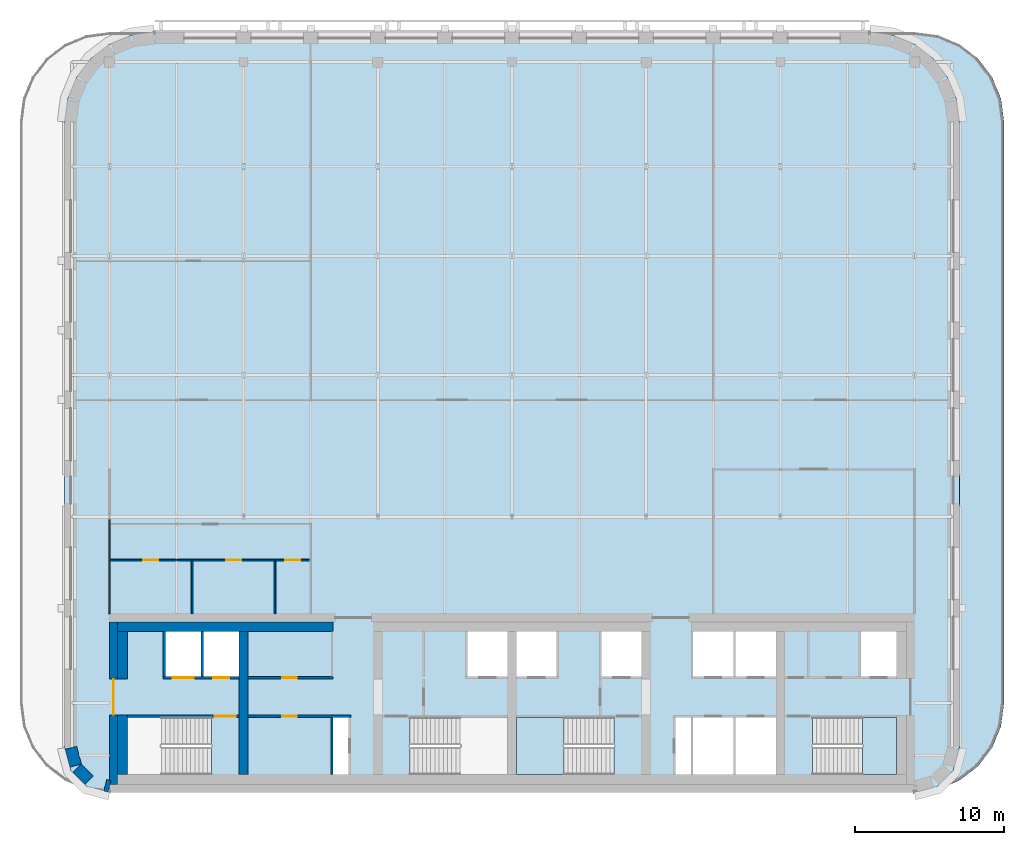
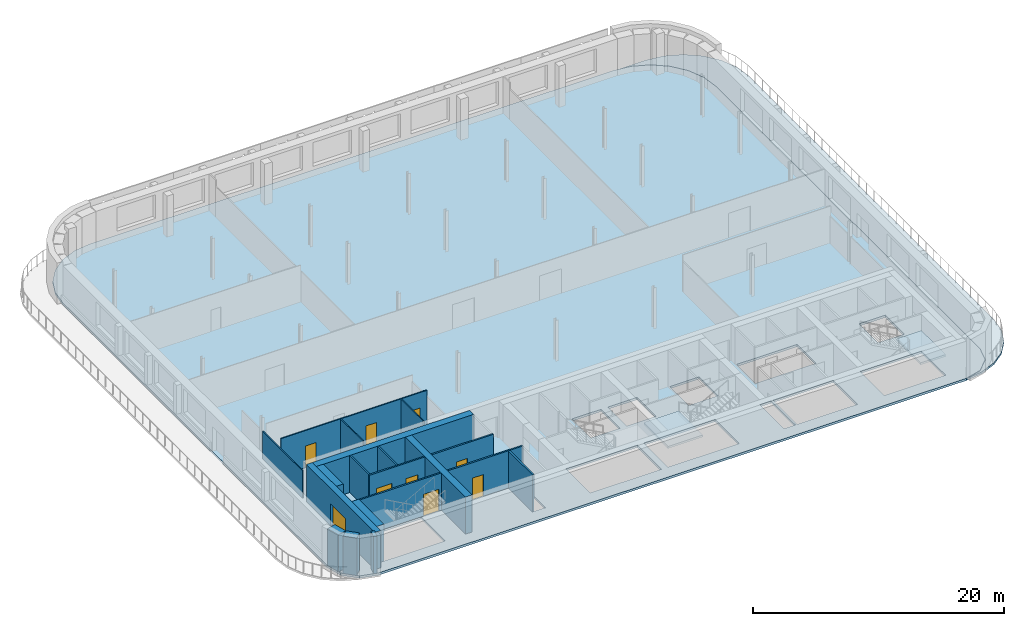
# One storey, part 6 of 13: 19 walls, 9 doors, 4 slabs, 9 openings, 2 elements without a shape of their own.
"""IFC4 building model written with IfcOpenShell, lengths in metres."""

from ifc_helpers import new_model, si_unit, direction, frame, frame_2d, origin, place, context, subcontext, project, spatial, polyline, rectangle, outline, extrude, material, layer, layer_set, type_object, element, fill, aggregate, save


model = new_model("IFC4")

# Units and contexts
model_context = context("Model", 3, precision=1e-05, world=origin(), true_north=direction((0.0, 1.0)))
body_context = subcontext(model_context, "Body", "Model", "MODEL_VIEW")
ifc_project = project(units=[si_unit("LENGTHUNIT", "METRE"), si_unit("AREAUNIT", "SQUARE_METRE"), si_unit("VOLUMEUNIT", "CUBIC_METRE"), si_unit("PLANEANGLEUNIT", "RADIAN"), si_unit("MASSUNIT", "GRAM", prefix="KILO")], contexts=[model_context])

# Site, building, storey
site_placement = place(None, origin())
site = spatial("IfcSite", under=ifc_project, at=site_placement, CompositionType="ELEMENT")
building_placement = place(site_placement, origin())
building = spatial("IfcBuilding", under=site, at=building_placement, Name="Zellij Exchange Tower", CompositionType="ELEMENT")
storey_placement = place(building_placement, frame((0.0, 0.0, 292.5)))
storey = spatial("IfcBuildingStorey", under=building, at=storey_placement, Name="L69", CompositionType="ELEMENT", Elevation=292.5)

# Stair, slab
ifc_material_1 = material(Name="Concrete C40/50", Category="concrete")
stair_type = type_object("IfcStairType", Name="CORE-ST exit stair 1850 wide", PredefinedType="HALF_TURN_STAIR", material=ifc_material_1)
stair_1_placement = place(storey_placement, origin())
stair_1 = element("IfcStair", 1, at=stair_1_placement, inside=storey, type_object=stair_type, Name="L69 exit stair ST3", PredefinedType="HALF_TURN_STAIR")
ifc_layer_1 = layer(ifc_material_1, 0.199951171875)
ifc_layer_set_1 = layer_set([ifc_layer_1], Name="Concrete C40/50")
slab_type_1 = type_object("IfcSlabType", Name="CORE-SL stair landing 200", PredefinedType="LANDING", material=ifc_layer_set_1)
slab_1_placement = place(storey_placement, frame((0.0, 0.0, 1.800048828125)))
slab_1 = element("IfcSlab", 2, at=slab_1_placement, type_object=slab_type_1, Name="ST3 landing 1", PredefinedType="LANDING", context=body_context, shape_type="SweptSolid", body=[
    extrude(outline(polyline([(3.489990234375, -8.949951171875), (0.300048828125, -8.949951171875), (0.300048828125, -12.800048828125), (3.489990234375, -12.800048828125), (3.489990234375, -8.949951171875)])), origin(), (0.0, 0.0, 1.0), 0.199951171875),
])
aggregate(stair_1, [slab_1])

stair_2_placement = place(storey_placement, origin())
stair_2 = element("IfcStair", 3, at=stair_2_placement, inside=storey, type_object=stair_type, Name="L69 exit stair ST4", PredefinedType="HALF_TURN_STAIR")
slab_2_placement = place(storey_placement, frame((0.0, 0.0, 1.800048828125)))
slab_2 = element("IfcSlab", 4, at=slab_2_placement, type_object=slab_type_1, Name="ST4 landing 1", PredefinedType="LANDING", context=body_context, shape_type="SweptSolid", body=[
    extrude(outline(polyline([(23.510009765625, -12.800048828125), (25.800048828125, -12.800048828125), (25.800048828125, -8.949951171875), (23.510009765625, -8.949951171875), (23.510009765625, -12.800048828125)])), origin(), (0.0, 0.0, 1.0), 0.199951171875),
])
aggregate(stair_2, [slab_2])

# Slabs
ifc_layer_2 = layer(ifc_material_1, 0.219970703125)
ifc_layer_set_2 = layer_set([ifc_layer_2], Name="Concrete C40/50")
slab_type_2 = type_object("IfcSlabType", Name="ENV-TERRACE SLAB 220 C40/50", PredefinedType="FLOOR", material=ifc_layer_set_2)
slab_3_placement = place(storey_placement, frame((0.0, 0.0, -0.219970703125)))
element("IfcSlab", 5, at=slab_3_placement, inside=storey, type_object=slab_type_2, Name="Terrace slab L69", PredefinedType="FLOOR", context=body_context, shape_type="SweptSolid", body=[
    extrude(outline(polyline([(28.5, -13.59814453125), (27.0, -14.0), (28.552978515625, -13.795654296875), (30.0, -13.1962890625), (31.24267578125, -12.24267578125), (32.1962890625, -11.0), (32.795654296875, -9.552978515625), (33.0, -8.0), (33.0, 31.0), (32.795654296875, 32.552978515625), (32.1962890625, 34.0), (31.24267578125, 35.24267578125), (30.0, 36.1962890625), (28.552978515625, 36.795654296875), (27.0, 37.0), (24.0, 37.0), (25.552978515625, 36.795654296875), (27.0, 36.1962890625), (28.24267578125, 35.24267578125), (29.1962890625, 34.0), (29.795654296875, 32.552978515625), (30.0, 31.0), (30.0, -11.0), (29.59814453125, -12.5), (28.5, -13.59814453125)])), origin(), (0.0, 0.0, 1.0), 0.179931640625),
])
ifc_layer_3 = layer(ifc_material_1, 0.219970703125)
ifc_layer_set_3 = layer_set([ifc_layer_3], Name="Concrete C40/50")
slab_type_3 = type_object("IfcSlabType", Name="STR-FLOOR SLAB 220 C40/50", PredefinedType="FLOOR", material=ifc_layer_set_3)
slab_4_placement = place(storey_placement, frame((0.0, 0.0, -0.22021484375)))
element("IfcSlab", 6, at=slab_4_placement, inside=storey, type_object=slab_type_3, Name="Floor L69", PredefinedType="FLOOR", context=body_context, shape_type="SweptSolid", body=[
    extrude(outline(polyline([(-27.0, -14.0), (-28.5, -13.59814453125), (-29.59814453125, -12.5), (-30.0, -11.0), (-30.0, 31.0), (-29.795654296875, 32.552978515625), (-29.1962890625, 34.0), (-28.24267578125, 35.24267578125), (-27.0, 36.1962890625), (-25.552978515625, 36.795654296875), (-24.0, 37.0), (24.0, 37.0), (25.552978515625, 36.795654296875), (27.0, 36.1962890625), (28.24267578125, 35.24267578125), (29.1962890625, 34.0), (29.795654296875, 32.552978515625), (30.0, 31.0), (30.0, -11.0), (29.59814453125, -12.5), (28.5, -13.59814453125), (27.0, -14.0), (-27.0, -14.0)]), holes=[polyline([(-25.800048828125, -8.949951171875), (-25.800048828125, -12.800048828125), (-20.153076171875, -12.800048828125), (-20.153076171875, -8.949951171875), (-25.800048828125, -8.949951171875)]), polyline([(-10.949951171875, -8.949951171875), (-12.0, -8.949951171875), (-12.0, -12.800048828125), (-10.949951171875, -12.800048828125), (-10.949951171875, -8.949951171875)]), polyline([(-0.300048828125, -8.949951171875), (-6.846923828125, -8.949951171875), (-6.846923828125, -12.800048828125), (-0.300048828125, -12.800048828125), (-0.300048828125, -8.949951171875)]), polyline([(0.300048828125, -8.949951171875), (0.300048828125, -12.800048828125), (6.846923828125, -12.800048828125), (6.846923828125, -8.949951171875), (0.300048828125, -8.949951171875)]), polyline([(-18.300048828125, -3.199951171875), (-23.25, -3.199951171875), (-23.25, -6.22509765625), (-18.300048828125, -6.22509765625), (-18.300048828125, -3.199951171875)]), polyline([(-0.300048828125, -3.199951171875), (-3.0, -3.199951171875), (-3.0, -6.22509765625), (-0.300048828125, -6.22509765625), (-0.300048828125, -3.199951171875)]), polyline([(0.300048828125, -3.199951171875), (0.300048828125, -6.22509765625), (3.0, -6.22509765625), (3.0, -3.199951171875), (0.300048828125, -3.199951171875)]), polyline([(12.0, -8.949951171875), (10.949951171875, -8.949951171875), (10.949951171875, -12.800048828125), (12.0, -12.800048828125), (12.0, -8.949951171875)]), polyline([(17.699951171875, -8.949951171875), (12.14990234375, -8.949951171875), (12.14990234375, -12.800048828125), (17.699951171875, -12.800048828125), (17.699951171875, -8.949951171875)]), polyline([(25.800048828125, -8.949951171875), (20.153076171875, -8.949951171875), (20.153076171875, -12.800048828125), (25.800048828125, -12.800048828125), (25.800048828125, -8.949951171875)]), polyline([(8.699951171875, -3.199951171875), (6.0, -3.199951171875), (6.0, -6.22509765625), (8.699951171875, -6.22509765625), (8.699951171875, -3.199951171875)]), polyline([(17.699951171875, -3.199951171875), (12.14990234375, -3.199951171875), (12.14990234375, -6.22509765625), (17.699951171875, -6.22509765625), (17.699951171875, -3.199951171875)]), polyline([(25.800048828125, -3.199951171875), (23.39990234375, -3.199951171875), (23.39990234375, -6.22509765625), (25.800048828125, -6.22509765625), (25.800048828125, -3.199951171875)])]), origin(), (0.0, 0.0, 1.0), 0.22021484375),
])

# Walls
ifc_material_2 = material(Name="Concrete C50/60", Category="concrete")
ifc_layer_4 = layer(ifc_material_2, 0.60009765625)
ifc_layer_set_4 = layer_set([ifc_layer_4], Name="Concrete C50/60")
wall_type_1 = type_object("IfcWallType", Name="CORE-CW 600 C50/60", PredefinedType="SHEAR", material=ifc_layer_set_4)
wall_1_placement = place(storey_placement, frame((-18.0, -12.800048828125, 0.0), z_axis=(0.0, 0.0, 1.0), x_axis=(0.0, 1.0, 0.0)))
element("IfcWall", 7, at=wall_1_placement, inside=storey, type_object=wall_type_1, Name="Core cross wall x -18 L69", PredefinedType="SHEAR", context=body_context, shape_type="SweptSolid", body=[
    extrude(rectangle(XDim=9.60009765625, YDim=0.60009765625, at=frame_2d((4.800048828125, 0.0))), origin(), (0.0, 0.0, 1.0), 3.60009765625),
])
ifc_material_3 = material(Name="Concrete C30/37", Category="concrete")
ifc_layer_5 = layer(ifc_material_3, 0.64990234375)
ifc_layer_set_5 = layer_set([ifc_layer_5], Name="Concrete C30/37")
wall_type_2 = type_object("IfcWallType", Name="CORE-LW 650 C30/37", PredefinedType="SHEAR", material=ifc_layer_set_5)
wall_2_placement = place(storey_placement, frame((-26.449951171875, -2.875, 0.0), z_axis=(0.0, 0.0, 1.0), x_axis=(1.0, 0.0, 0.0)))
element("IfcWall", 8, at=wall_2_placement, inside=storey, type_object=wall_type_2, Name="Core wall lining front.0 L69", PredefinedType="SHEAR", context=body_context, shape_type="SweptSolid", body=[
    extrude(rectangle(XDim=14.449951171875, YDim=0.64990234375, at=frame_2d((7.22509765625, 0.0))), origin(), (0.0, 0.0, 1.0), 3.60009765625),
])
wall_3_placement = place(storey_placement, frame((-26.125, -12.800048828125, 0.0), z_axis=(0.0, 0.0, 1.0), x_axis=(0.0, 1.0, 0.0)))
element("IfcWall", 9, at=wall_3_placement, inside=storey, type_object=wall_type_2, Name="Core wall lining end w.0 L69", PredefinedType="SHEAR", context=body_context, shape_type="SweptSolid", body=[
    extrude(rectangle(XDim=4.0, YDim=0.64990234375, at=frame_2d((2.0, 0.0))), origin(), (0.0, 0.0, 1.0), 3.60009765625),
])
wall_4_placement = place(storey_placement, frame((-26.125, -6.375, 0.0), z_axis=(0.0, 0.0, 1.0), x_axis=(0.0, 1.0, 0.0)))
element("IfcWall", 10, at=wall_4_placement, inside=storey, type_object=wall_type_2, Name="Core wall lining end w.1 L69", PredefinedType="SHEAR", context=body_context, shape_type="SweptSolid", body=[
    extrude(rectangle(XDim=3.175048828125, YDim=0.64990234375, at=frame_2d((1.58740234375, 0.0))), origin(), (0.0, 0.0, 1.0), 3.60009765625),
])
ifc_material_4 = material(Name="Gypsum board partition")
ifc_layer_6 = layer(ifc_material_4, 0.14990234375)
ifc_layer_set_6 = layer_set([ifc_layer_6], Name="Gypsum board partition")
wall_type_3 = type_object("IfcWallType", Name="CORE-PW 150 Lift lobby wall", PredefinedType="PARTITIONING", material=ifc_layer_set_6)
wall_5_placement = place(storey_placement, frame((-12.074951171875, -12.800048828125, 0.0), z_axis=(0.0, 0.0, 1.0), x_axis=(0.0, 1.0, 0.0)))
element("IfcWall", 11, at=wall_5_placement, inside=storey, type_object=wall_type_3, Name="Lift lobby wall L69", PredefinedType="PARTITIONING", context=body_context, shape_type="SweptSolid", body=[
    extrude(rectangle(XDim=3.85009765625, YDim=0.14990234375, at=frame_2d((1.925048828125, 0.0))), origin(), (0.0, 0.0, 1.0), 3.60009765625),
])

# Wall, opening, door
wall_6_placement = place(storey_placement, frame((-17.699951171875, -6.300048828125, 0.0), z_axis=(0.0, 0.0, 1.0), x_axis=(1.0, 0.0, 0.0)))
wall_6 = element("IfcWall", 12, at=wall_6_placement, inside=storey, type_object=wall_type_3, Name="Lift lobby wall L69", PredefinedType="PARTITIONING", context=body_context, shape_type="SweptSolid", body=[
    extrude(rectangle(XDim=5.699951171875, YDim=0.14990234375, at=frame_2d((2.85009765625, 0.0))), origin(), (0.0, 0.0, 1.0), 3.60009765625),
])
opening_1_placement = place(wall_6_placement, frame((2.27490234375, 0.0, 0.0)))
opening_1 = element("IfcOpeningElement", 13, at=opening_1_placement, cuts=wall_6, Name="Opening CA-36.06", PredefinedType="OPENING", context=body_context, shape_type="SweptSolid", body=[
    extrude(rectangle(XDim=1.0, YDim=2.10009765625, at=frame_2d((0.5, 1.050048828125))), frame((0.0, 0.0869140625, 0.0), z_axis=(0.0, -1.0, 0.0), x_axis=(1.0, 0.0, 0.0)), (0.0, 0.0, 1.0), 0.173828125),
])
ifc_material_5 = material(Name="Hollow metal fire door")
door_type_1 = type_object("IfcDoorType", Name="CORE-D CD Core room door 1000x2100 1 HR", OperationType="NOTDEFINED", PredefinedType="DOOR", material=ifc_material_5)
door_1_placement = place(opening_1_placement, origin())
door_1 = element("IfcDoor", 14, at=door_1_placement, inside=storey, type_object=door_type_1, Name="Core room door CA-36.06", OperationType="SINGLE_SWING_LEFT", OverallHeight=2.10009765625, OverallWidth=1.0, PredefinedType="DOOR", context=body_context, shape_type="SweptSolid", body=[
    extrude(rectangle(XDim=1.0, YDim=2.10009765625, at=frame_2d((0.5, 1.050048828125))), frame((0.0, 0.02490234375, 0.0), z_axis=(0.0, -1.0, 0.0), x_axis=(1.0, 0.0, 0.0)), (0.0, 0.0, 1.0), 0.050048828125),
])
fill(opening_1, door_1)

wall_7_placement = place(storey_placement, frame((-17.699951171875, -8.875, 0.0), z_axis=(0.0, 0.0, 1.0), x_axis=(1.0, 0.0, 0.0)))
wall_7 = element("IfcWall", 15, at=wall_7_placement, inside=storey, type_object=wall_type_3, Name="Lift lobby wall L69", PredefinedType="PARTITIONING", context=body_context, shape_type="SweptSolid", body=[
    extrude(rectangle(XDim=6.89990234375, YDim=0.14990234375, at=frame_2d((3.449951171875, 0.0))), origin(), (0.0, 0.0, 1.0), 3.60009765625),
])
opening_2_placement = place(wall_7_placement, frame((2.27490234375, 0.0, 0.0)))
opening_2 = element("IfcOpeningElement", 16, at=opening_2_placement, cuts=wall_7, Name="Opening CA-36.05", PredefinedType="OPENING", context=body_context, shape_type="SweptSolid", body=[
    extrude(rectangle(XDim=1.0, YDim=2.10009765625, at=frame_2d((0.5, 1.050048828125))), frame((0.0, 0.0869140625, 0.0), z_axis=(0.0, -1.0, 0.0), x_axis=(1.0, 0.0, 0.0)), (0.0, 0.0, 1.0), 0.173828125),
])
door_2_placement = place(opening_2_placement, origin())
door_2 = element("IfcDoor", 17, at=door_2_placement, inside=storey, type_object=door_type_1, Name="Core room door CA-36.05", OperationType="SINGLE_SWING_RIGHT", OverallHeight=2.10009765625, OverallWidth=1.0, PredefinedType="DOOR", context=body_context, shape_type="SweptSolid", body=[
    extrude(rectangle(XDim=1.0, YDim=2.10009765625, at=frame_2d((0.5, 1.050048828125))), frame((0.0, 0.02490234375, 0.0), z_axis=(0.0, -1.0, 0.0), x_axis=(1.0, 0.0, 0.0)), (0.0, 0.0, 1.0), 0.050048828125),
])
fill(opening_2, door_2)

# Walls
ifc_material_6 = material(Name="Gypsum shaft wall system")
ifc_layer_7 = layer(ifc_material_6, 0.14990234375)
ifc_layer_set_7 = layer_set([ifc_layer_7], Name="Gypsum shaft wall system")
wall_type_4 = type_object("IfcWallType", Name="CORE-PW 150 Lift shaft wall", PredefinedType="PARTITIONING", material=ifc_layer_set_7)
for number, where, z_axis, x_axis, name in (
    (18, (-20.77490234375, -6.22509765625, 0.0), (0.0, 0.0, 1.0), (0.0, 1.0, 0.0), "Lift shaft wall L69"),
    (19, (-23.324951171875, -6.22509765625, 0.0), (0.0, 0.0, 1.0), (0.0, 1.0, 0.0), "Lift shaft wall L69"),
):
    element("IfcWall", number, at=place(storey_placement, frame(where, z_axis=z_axis, x_axis=x_axis)), inside=storey, type_object=wall_type_4, Name=name, PredefinedType="PARTITIONING", context=body_context, shape_type="SweptSolid", body=[
        extrude(rectangle(XDim=3.025146484375, YDim=0.14990234375, at=frame_2d((1.5126953125, 0.0))), origin(), (0.0, 0.0, 1.0), 3.60009765625),
    ])

# Wall, openings, doors
wall_8_placement = place(storey_placement, frame((-23.39990234375, -6.300048828125, 0.0), z_axis=(0.0, 0.0, 1.0), x_axis=(1.0, 0.0, 0.0)))
wall_8 = element("IfcWall", 20, at=wall_8_placement, inside=storey, type_object=wall_type_4, Name="Lift shaft wall L69", PredefinedType="PARTITIONING", context=body_context, shape_type="SweptSolid", body=[
    extrude(rectangle(XDim=5.099853515625, YDim=0.14990234375, at=frame_2d((2.5498046875, 0.0))), origin(), (0.0, 0.0, 1.0), 3.60009765625),
])
opening_3_placement = place(wall_8_placement, frame((0.64990234375, 0.0, 0.0)))
opening_3 = element("IfcOpeningElement", 21, at=opening_3_placement, cuts=wall_8, Name="Opening CA-36.02", PredefinedType="OPENING", context=body_context, shape_type="SweptSolid", body=[
    extrude(rectangle(XDim=1.39990234375, YDim=2.10009765625, at=frame_2d((0.699951171875, 1.050048828125))), frame((0.0, 0.0869140625, 0.0), z_axis=(0.0, -1.0, 0.0), x_axis=(1.0, 0.0, 0.0)), (0.0, 0.0, 1.0), 0.173828125),
])
opening_4_placement = place(wall_8_placement, frame((3.35009765625, 0.0, 0.0)))
opening_4 = element("IfcOpeningElement", 22, at=opening_4_placement, cuts=wall_8, Name="Opening CA-36.03", PredefinedType="OPENING", context=body_context, shape_type="SweptSolid", body=[
    extrude(rectangle(XDim=1.10009765625, YDim=2.10009765625, at=frame_2d((0.550048828125, 1.050048828125))), frame((0.0, 0.0869140625, 0.0), z_axis=(0.0, -1.0, 0.0), x_axis=(1.0, 0.0, 0.0)), (0.0, 0.0, 1.0), 0.173828125),
])
door_type_2 = type_object("IfcDoorType", Name="CORE-D LD Lift landing door 1100x2100 1.5 HR", OperationType="NOTDEFINED", PredefinedType="DOOR", material=ifc_material_5)
door_3_placement = place(opening_4_placement, origin())
door_3 = element("IfcDoor", 23, at=door_3_placement, inside=storey, type_object=door_type_2, Name="Lift landing door CA-36.03", OperationType="SLIDING_TO_LEFT", OverallHeight=2.10009765625, OverallWidth=1.10009765625, PredefinedType="DOOR", context=body_context, shape_type="SweptSolid", body=[
    extrude(rectangle(XDim=1.10009765625, YDim=2.10009765625, at=frame_2d((0.550048828125, 1.050048828125))), frame((0.0, 0.02490234375, 0.0), z_axis=(0.0, -1.0, 0.0), x_axis=(1.0, 0.0, 0.0)), (0.0, 0.0, 1.0), 0.050048828125),
])
fill(opening_4, door_3)
door_type_3 = type_object("IfcDoorType", Name="CORE-D LD2 Service lift landing door 1400x2100 1.5 HR", OperationType="NOTDEFINED", PredefinedType="DOOR", material=ifc_material_5)
door_4_placement = place(opening_3_placement, origin())
door_4 = element("IfcDoor", 24, at=door_4_placement, inside=storey, type_object=door_type_3, Name="Service lift landing door CA-36.02", OperationType="SLIDING_TO_RIGHT", OverallHeight=2.10009765625, OverallWidth=1.39990234375, PredefinedType="DOOR", context=body_context, shape_type="SweptSolid", body=[
    extrude(rectangle(XDim=1.39990234375, YDim=2.10009765625, at=frame_2d((0.699951171875, 1.050048828125))), frame((0.0, 0.02490234375, 0.0), z_axis=(0.0, -1.0, 0.0), x_axis=(1.0, 0.0, 0.0)), (0.0, 0.0, 1.0), 0.050048828125),
])
fill(opening_3, door_4)

# Wall, opening, door
ifc_layer_8 = layer(ifc_material_2, 0.550048828125)
ifc_layer_set_8 = layer_set([ifc_layer_8], Name="Concrete C50/60")
wall_type_5 = type_object("IfcWallType", Name="CORE-SW 550 C50/60", PredefinedType="SHEAR", material=ifc_layer_set_8)
wall_9_placement = place(storey_placement, frame((-26.72509765625, -13.449951171875, 0.0), z_axis=(0.0, 0.0, 1.0), x_axis=(0.0, 1.0, 0.0)))
wall_9 = element("IfcWall", 25, at=wall_9_placement, inside=storey, type_object=wall_type_5, Name="Core shear wall end w L69", PredefinedType="SHEAR", context=body_context, shape_type="SweptSolid", body=[
    extrude(rectangle(XDim=10.89990234375, YDim=0.550048828125, at=frame_2d((5.449951171875, 0.0))), origin(), (0.0, 0.0, 1.0), 3.60009765625),
])
opening_5_placement = place(wall_9_placement, frame((4.662109375, 0.0, 0.0)))
opening_5 = element("IfcOpeningElement", 26, at=opening_5_placement, cuts=wall_9, Name="Opening CA-36.01", PredefinedType="OPENING", context=body_context, shape_type="SweptSolid", body=[
    extrude(rectangle(XDim=2.39990234375, YDim=2.10009765625, at=frame_2d((1.199951171875, 1.050048828125))), frame((0.0, 0.287109375, 0.0), z_axis=(0.0, -1.0, 0.0), x_axis=(1.0, 0.0, 0.0)), (0.0, 0.0, 1.0), 0.573974609375),
])
door_type_4 = type_object("IfcDoorType", Name="CORE-D CE Core entrance door 2400x2100 20 MIN", OperationType="NOTDEFINED", PredefinedType="DOOR", material=ifc_material_5)
door_5_placement = place(opening_5_placement, origin())
door_5 = element("IfcDoor", 27, at=door_5_placement, inside=storey, type_object=door_type_4, Name="Core entrance door CA-36.01", OperationType="DOUBLE_DOOR_SINGLE_SWING", OverallHeight=2.10009765625, OverallWidth=2.39990234375, PredefinedType="DOOR", context=body_context, shape_type="SweptSolid", body=[
    extrude(rectangle(XDim=2.39990234375, YDim=2.10009765625, at=frame_2d((1.199951171875, 1.050048828125))), frame((0.0, 0.02490234375, 0.0), z_axis=(0.0, -1.0, 0.0), x_axis=(1.0, 0.0, 0.0)), (0.0, 0.0, 1.0), 0.050048828125),
])
fill(opening_5, door_5)

ifc_layer_9 = layer(ifc_material_2, 0.14990234375)
ifc_layer_set_9 = layer_set([ifc_layer_9], Name="Concrete C50/60")
wall_type_6 = type_object("IfcWallType", Name="CORE-SWS 150 C50/60", PredefinedType="SHEAR", material=ifc_layer_set_9)
wall_10_placement = place(storey_placement, frame((-25.800048828125, -8.875, 0.0), z_axis=(0.0, 0.0, 1.0), x_axis=(1.0, 0.0, 0.0)))
wall_10 = element("IfcWall", 28, at=wall_10_placement, inside=storey, type_object=wall_type_6, Name="Stair enclosure wall L69", PredefinedType="SHEAR", context=body_context, shape_type="SweptSolid", body=[
    extrude(rectangle(XDim=7.5, YDim=0.14990234375, at=frame_2d((3.75, 0.0))), origin(), (0.0, 0.0, 1.0), 3.60009765625),
])
opening_6_placement = place(wall_10_placement, frame((5.875, 0.0, 0.0)))
opening_6 = element("IfcOpeningElement", 29, at=opening_6_placement, cuts=wall_10, Name="Opening CA-36.04", PredefinedType="OPENING", context=body_context, shape_type="SweptSolid", body=[
    extrude(rectangle(XDim=1.39990234375, YDim=2.10009765625, at=frame_2d((0.699951171875, 1.050048828125))), frame((0.0, 0.0869140625, 0.0), z_axis=(0.0, -1.0, 0.0), x_axis=(1.0, 0.0, 0.0)), (0.0, 0.0, 1.0), 0.173828125),
])
door_type_5 = type_object("IfcDoorType", Name="CORE-D SD Stair door 1400x2100 1.5 HR", OperationType="NOTDEFINED", PredefinedType="DOOR", material=ifc_material_5)
door_6_placement = place(opening_6_placement, origin())
door_6 = element("IfcDoor", 30, at=door_6_placement, inside=storey, type_object=door_type_5, Name="Stair door CA-36.04", OperationType="DOUBLE_DOOR_SINGLE_SWING", OverallHeight=2.10009765625, OverallWidth=1.39990234375, PredefinedType="DOOR", context=body_context, shape_type="SweptSolid", body=[
    extrude(rectangle(XDim=1.39990234375, YDim=2.10009765625, at=frame_2d((0.699951171875, 1.050048828125))), frame((0.0, 0.02490234375, 0.0), z_axis=(0.0, -1.0, 0.0), x_axis=(1.0, 0.0, 0.0)), (0.0, 0.0, 1.0), 0.050048828125),
])
fill(opening_6, door_6)

# Walls
ifc_material_7 = material(Name="Precast concrete C40/50", Category="concrete")
ifc_layer_10 = layer(ifc_material_7, 0.800048828125)
ifc_layer_set_10 = layer_set([ifc_layer_10], Name="Precast concrete C40/50")
wall_type_7 = type_object("IfcWallType", Name="ENV-EW1 Precast stone-piered wall 800", PredefinedType="SOLIDWALL", material=ifc_layer_set_10)
wall_11_placement = place(storey_placement, frame((-29.58642578125, -10.998291015625, 0.0), z_axis=(0.0, 0.0, 1.0), x_axis=(0.258943885187, -0.965892366842, 0.0)))
element("IfcWall", 31, at=wall_11_placement, inside=storey, type_object=wall_type_7, Name="fac.L69.19", PredefinedType="SOLIDWALL", context=body_context, shape_type="SweptSolid", body=[
    extrude(rectangle(XDim=1.233154296875, YDim=0.800048828125, at=frame_2d((0.61669921875, 0.0))), origin(), (0.0, 0.0, 1.0), 3.60009765625),
])
wall_12_placement = place(storey_placement, frame((-29.163818359375, -12.36865234375, 0.0), z_axis=(0.0, 0.0, 1.0), x_axis=(0.707106781187, -0.707106781187, 0.0)))
element("IfcWall", 32, at=wall_12_placement, inside=storey, type_object=wall_type_7, Name="fac.L69.20", PredefinedType="SOLIDWALL", context=body_context, shape_type="SweptSolid", body=[
    extrude(rectangle(XDim=1.12451171875, YDim=0.800048828125, at=frame_2d((0.562255859375, 0.0))), origin(), (0.0, 0.0, 1.0), 3.60009765625),
])
wall_13_placement = place(storey_placement, frame((-27.281494140625, -13.510498046875, 0.0), z_axis=(0.0, 0.0, 1.0), x_axis=(0.965888567797, -0.258958055677, 0.0)))
element("IfcWall", 33, at=wall_13_placement, inside=storey, type_object=wall_type_7, Name="fac.L69.21", PredefinedType="SOLIDWALL", context=body_context, shape_type="SweptSolid", body=[
    extrude(rectangle(XDim=0.293212890625, YDim=0.800048828125, at=frame_2d((0.146484375, 0.0))), origin(), (0.0, 0.0, 1.0), 3.60009765625),
])
ifc_material_8 = material(Name="Gypsum board partition on steel studs", Category="steel")
ifc_layer_11 = layer(ifc_material_8, 0.10009765625)
ifc_layer_set_11 = layer_set([ifc_layer_11], Name="Gypsum board partition on steel studs")
wall_type_8 = type_object("IfcWallType", Name="FIT-PARTITION-100", PredefinedType="PARTITIONING", material=ifc_layer_set_11)
wall_14_placement = place(storey_placement, frame((-27.0, -2.0, 0.0), z_axis=(0.0, 0.0, 1.0), x_axis=(0.0, 1.0, 0.0)))
element("IfcWall", 34, at=wall_14_placement, inside=storey, type_object=wall_type_8, Name="FIT-PARTITION-100 001", PredefinedType="PARTITIONING", context=body_context, shape_type="SweptSolid", body=[
    extrude(rectangle(XDim=6.323486328125, YDim=0.10009765625, at=frame_2d((3.16162109375, 0.0))), origin(), (0.0, 0.0, 1.0), 2.667724609375),
])
for number, where, z_axis, x_axis, name in (
    (35, (-21.449951171875, -2.0, 0.0), (0.0, 0.0, 1.0), (0.0, 1.0, 0.0), "FIT-PARTITION-100 003"),
    (36, (-15.89990234375, -2.0, 0.0), (0.0, 0.0, 1.0), (0.0, 1.0, 0.0), "FIT-PARTITION-100 004"),
):
    element("IfcWall", number, at=place(storey_placement, frame(where, z_axis=z_axis, x_axis=x_axis)), inside=storey, type_object=wall_type_8, Name=name, PredefinedType="PARTITIONING", context=body_context, shape_type="SweptSolid", body=[
        extrude(rectangle(XDim=3.550048828125, YDim=0.10009765625, at=frame_2d((1.77490234375, 0.0))), origin(), (0.0, 0.0, 1.0), 3.60009765625),
    ])

# Wall, openings, doors
wall_15_placement = place(storey_placement, frame((-26.949951171875, 1.60009765625, 0.0), z_axis=(0.0, 0.0, 1.0), x_axis=(1.0, 0.0, 0.0)))
wall_15 = element("IfcWall", 37, at=wall_15_placement, inside=storey, type_object=wall_type_8, Name="FIT-PARTITION-100 009", PredefinedType="PARTITIONING", context=body_context, shape_type="SweptSolid", body=[
    extrude(rectangle(XDim=13.39990234375, YDim=0.10009765625, at=frame_2d((6.699951171875, 0.0))), origin(), (0.0, 0.0, 1.0), 3.60009765625),
])
opening_7_placement = place(wall_15_placement, frame((2.22509765625, 0.0, 0.0)))
opening_7 = element("IfcOpeningElement", 38, at=opening_7_placement, cuts=wall_15, Name="Opening EX6.01", PredefinedType="OPENING", context=body_context, shape_type="SweptSolid", body=[
    extrude(rectangle(XDim=1.0, YDim=2.10009765625, at=frame_2d((0.5, 1.050048828125))), frame((0.0, 0.06201171875, 0.0), z_axis=(0.0, -1.0, 0.0), x_axis=(1.0, 0.0, 0.0)), (0.0, 0.0, 1.0), 0.1240234375),
])
opening_8_placement = place(wall_15_placement, frame((7.77490234375, 0.0, 0.0)))
opening_8 = element("IfcOpeningElement", 39, at=opening_8_placement, cuts=wall_15, Name="Opening EX6.02", PredefinedType="OPENING", context=body_context, shape_type="SweptSolid", body=[
    extrude(rectangle(XDim=1.0, YDim=2.10009765625, at=frame_2d((0.5, 1.050048828125))), frame((0.0, 0.06201171875, 0.0), z_axis=(0.0, -1.0, 0.0), x_axis=(1.0, 0.0, 0.0)), (0.0, 0.0, 1.0), 0.1240234375),
])
opening_9_placement = place(wall_15_placement, frame((11.75, 0.0, 0.0)))
opening_9 = element("IfcOpeningElement", 40, at=opening_9_placement, cuts=wall_15, Name="Opening EX6.03", PredefinedType="OPENING", context=body_context, shape_type="SweptSolid", body=[
    extrude(rectangle(XDim=1.0, YDim=2.10009765625, at=frame_2d((0.5, 1.050048828125))), frame((0.0, 0.06201171875, 0.0), z_axis=(0.0, -1.0, 0.0), x_axis=(1.0, 0.0, 0.0)), (0.0, 0.0, 1.0), 0.1240234375),
])
ifc_material_9 = material(Name="Timber door set", Category="wood")
door_type_6 = type_object("IfcDoorType", Name="FIT-D2-WIDE-1000X2100", OperationType="SINGLE_SWING_LEFT", PredefinedType="DOOR", material=ifc_material_9)
door_7_placement = place(opening_7_placement, origin())
door_7 = element("IfcDoor", 41, at=door_7_placement, inside=storey, type_object=door_type_6, Name="Door EX6.01", OperationType="SINGLE_SWING_LEFT", OverallHeight=2.10009765625, OverallWidth=1.0, PredefinedType="DOOR", context=body_context, shape_type="SweptSolid", body=[
    extrude(rectangle(XDim=1.0, YDim=2.10009765625, at=frame_2d((0.5, 1.050048828125))), frame((0.0, 0.02490234375, 0.0), z_axis=(0.0, -1.0, 0.0), x_axis=(1.0, 0.0, 0.0)), (0.0, 0.0, 1.0), 0.050048828125),
])
fill(opening_7, door_7)
door_8_placement = place(opening_8_placement, origin())
door_8 = element("IfcDoor", 42, at=door_8_placement, inside=storey, type_object=door_type_6, Name="Door EX6.02", OperationType="SINGLE_SWING_LEFT", OverallHeight=2.10009765625, OverallWidth=1.0, PredefinedType="DOOR", context=body_context, shape_type="SweptSolid", body=[
    extrude(rectangle(XDim=1.0, YDim=2.10009765625, at=frame_2d((0.5, 1.050048828125))), frame((0.0, 0.02490234375, 0.0), z_axis=(0.0, -1.0, 0.0), x_axis=(1.0, 0.0, 0.0)), (0.0, 0.0, 1.0), 0.050048828125),
])
fill(opening_8, door_8)
door_9_placement = place(opening_9_placement, origin())
door_9 = element("IfcDoor", 43, at=door_9_placement, inside=storey, type_object=door_type_6, Name="Door EX6.03", OperationType="SINGLE_SWING_RIGHT", OverallHeight=2.10009765625, OverallWidth=1.0, PredefinedType="DOOR", context=body_context, shape_type="SweptSolid", body=[
    extrude(rectangle(XDim=1.0, YDim=2.10009765625, at=frame_2d((0.5, 1.050048828125))), frame((0.0, 0.02490234375, 0.0), z_axis=(0.0, -1.0, 0.0), x_axis=(1.0, 0.0, 0.0)), (0.0, 0.0, 1.0), 0.050048828125),
])
fill(opening_9, door_9)

save(model, "model.ifc")
